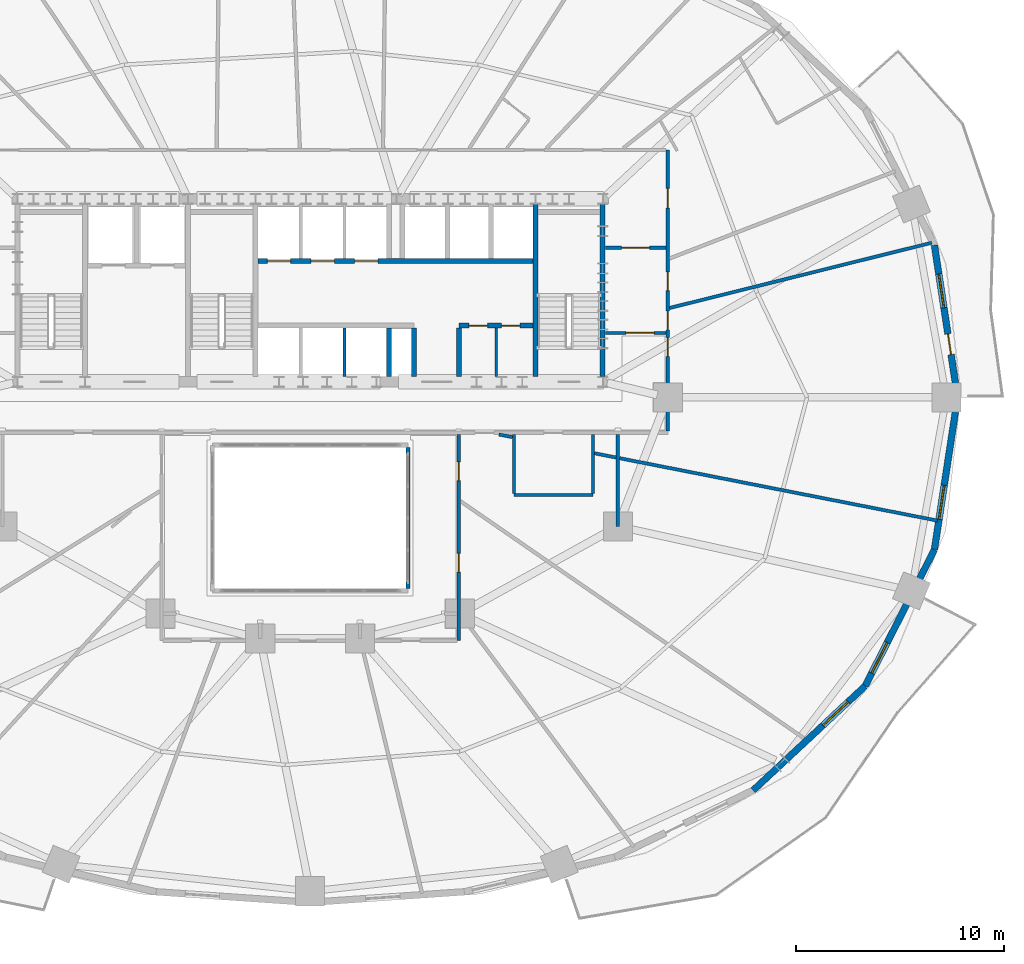
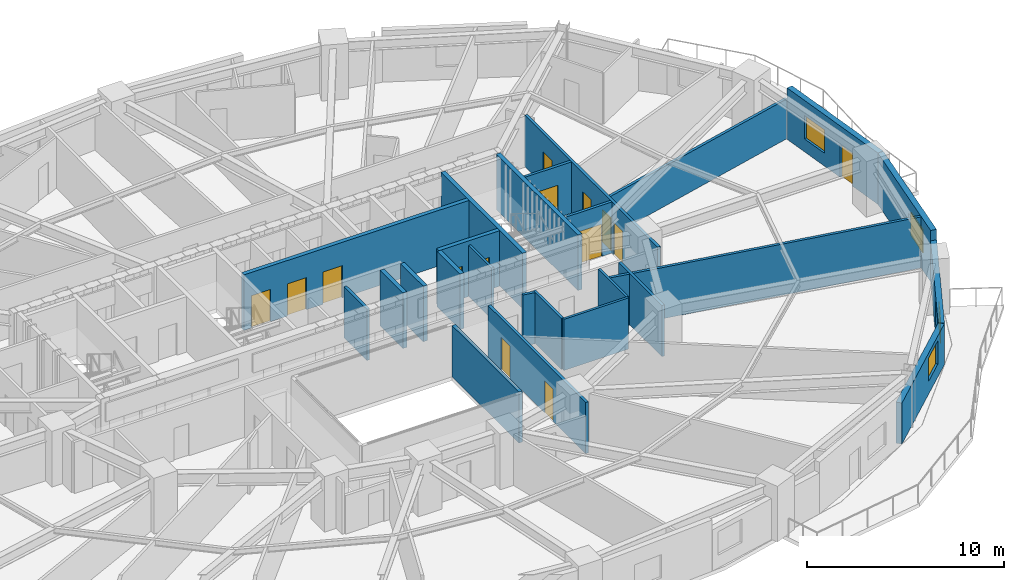
# One storey, part 10 of 16: 26 walls, 14 doors, 4 windows, 18 openings.
"""IFC4 building model written with IfcOpenShell, lengths in metres."""

from ifc_helpers import new_model, si_unit, direction, frame, frame_2d, origin, place, context, subcontext, project, spatial, rectangle, extrude, material, layer, layer_set, type_object, element, fill, save


model = new_model("IFC4")

# Units and contexts
model_context = context("Model", 3, precision=1e-05, world=origin(), true_north=direction((0.0, 1.0)))
body_context = subcontext(model_context, "Body", "Model", "MODEL_VIEW")
ifc_project = project(units=[si_unit("LENGTHUNIT", "METRE"), si_unit("AREAUNIT", "SQUARE_METRE"), si_unit("VOLUMEUNIT", "CUBIC_METRE"), si_unit("PLANEANGLEUNIT", "RADIAN"), si_unit("MASSUNIT", "GRAM", prefix="KILO")], contexts=[model_context])

# Site, building, storey
site_placement = place(None, origin())
site = spatial("IfcSite", under=ifc_project, at=site_placement, CompositionType="ELEMENT")
building_placement = place(site_placement, origin())
building = spatial("IfcBuilding", under=site, at=building_placement, Name="Haldorwick Loom Tower", CompositionType="ELEMENT")
storey_placement = place(building_placement, frame((0.0, 0.0, 68.85009765625)))
storey = spatial("IfcBuildingStorey", under=building, at=storey_placement, Name="L18", CompositionType="ELEMENT", Elevation=68.85009765625)

# Wall, openings, door, window
ifc_material_1 = material(Name="Pressed Clay Face Brick and Insulated Masonry Backup Assembly", Category="masonry")
ifc_layer_1 = layer(ifc_material_1, 0.320068359375, Name="Pressed Clay Face Brick and Insulated Masonry Backup Assembly", Category="masonry")
ifc_layer_set_1 = layer_set([ifc_layer_1], Name="Pressed Clay Face Brick and Insulated Masonry Backup Assembly")
wall_type_1 = type_object("IfcWallType", Name="ARC-WL-EXT320", PredefinedType="STANDARD", material=ifc_layer_set_1)
wall_1_placement = place(storey_placement, frame((67.135986328125, 26.0, 0.0), z_axis=(0.0, 0.0, 1.0), x_axis=(-0.150476322528, 0.988613613278, 0.0)))
wall_1 = element("IfcWall", 1, at=wall_1_placement, inside=storey, type_object=wall_type_1, Name="L18 Brick Pier and Spandrel Wall 1", PredefinedType="STANDARD", context=body_context, shape_type="SweptSolid", body=[
    extrude(rectangle(XDim=7.40478515625, YDim=0.320068359375, at=frame_2d((3.702392578125, 0.0))), origin(), (0.0, 0.0, 1.0), 3.18994140625),
])
opening_1_placement = place(wall_1_placement, frame((2.087646484375, 0.0, 0.0)))
opening_1 = element("IfcOpeningElement", 2, at=opening_1_placement, cuts=wall_1, Name="Opening D-BL10", PredefinedType="OPENING", context=body_context, shape_type="SweptSolid", body=[
    extrude(rectangle(XDim=1.0, YDim=2.0400390625, at=frame_2d((0.5, 1.02001953125))), frame((0.0, 0.169921875, 0.0), z_axis=(0.0, -1.0, 0.0), x_axis=(1.0, 0.0, 0.0)), (0.0, 0.0, 1.0), 0.340087890625),
])
opening_2_placement = place(wall_1_placement, frame((4.3583984375, 0.0, 0.800048828125)))
opening_2 = element("IfcOpeningElement", 3, at=opening_2_placement, cuts=wall_1, Name="Opening W-01B", PredefinedType="OPENING", context=body_context, shape_type="SweptSolid", body=[
    extrude(rectangle(XDim=1.64990234375, YDim=1.449951171875, at=frame_2d((0.824951171875, 0.72509765625))), frame((0.0, 0.169921875, 0.0), z_axis=(0.0, -1.0, 0.0), x_axis=(1.0, 0.0, 0.0)), (0.0, 0.0, 1.0), 0.340087890625),
])
ifc_material_2 = material(Name="Thermally Broken Anodized Aluminium Curtain Wall Framing", Category="aluminium")
door_type_1 = type_object("IfcDoorType", Name="ARC-DR-BAL100", OperationType="NOTDEFINED", PredefinedType="DOOR", material=ifc_material_2)
door_1_placement = place(opening_1_placement, origin())
door_1 = element("IfcDoor", 4, at=door_1_placement, inside=storey, type_object=door_type_1, Name="L18 Outdoor Terrace Door SLB-L18-BAL_ENE", OperationType="SINGLE_SWING_RIGHT", OverallHeight=2.0400390625, OverallWidth=1.0, PredefinedType="DOOR", context=body_context, shape_type="SweptSolid", body=[
    extrude(rectangle(XDim=1.0, YDim=2.0400390625, at=frame_2d((0.5, 1.02001953125))), frame((0.0, 0.02490234375, 0.0), z_axis=(0.0, -1.0, 0.0), x_axis=(1.0, 0.0, 0.0)), (0.0, 0.0, 1.0), 0.050048828125),
])
fill(opening_1, door_1)
ifc_material_3 = material(Name="Triple-Glazed Low-E Argon Insulated Glazing Unit", Category="glass")
window_type = type_object("IfcWindowType", Name="ARC-WIN-W165", PartitioningType="SINGLE_PANEL", PredefinedType="WINDOW", material=ifc_material_3)
window_1_placement = place(opening_2_placement, origin())
window_1 = element("IfcWindow", 5, at=window_1_placement, inside=storey, type_object=window_type, Name="L18 Deep-Set Zone 7A Window 1", OverallHeight=1.449951171875, OverallWidth=1.64990234375, PartitioningType="SINGLE_PANEL", PredefinedType="WINDOW", context=body_context, shape_type="SweptSolid", body=[
    extrude(rectangle(XDim=1.64990234375, YDim=1.449951171875, at=frame_2d((0.824951171875, 0.72509765625))), frame((0.0, 0.030029296875, 0.0), z_axis=(0.0, -1.0, 0.0), x_axis=(1.0, 0.0, 0.0)), (0.0, 0.0, 1.0), 0.06005859375),
])
fill(opening_2, window_1)

# Wall, opening, window
wall_2_placement = place(storey_placement, frame((57.30419921875, 7.10400390625, 0.0), z_axis=(0.0, 0.0, 1.0), x_axis=(0.73176101237, 0.681561311091, 0.0)))
wall_2 = element("IfcWall", 6, at=wall_2_placement, inside=storey, type_object=wall_type_1, Name="L18 Brick Pier and Spandrel Wall 22", PredefinedType="STANDARD", context=body_context, shape_type="SweptSolid", body=[
    extrude(rectangle(XDim=7.3583984375, YDim=0.320068359375, at=frame_2d((3.67919921875, 0.0))), origin(), (0.0, 0.0, 1.0), 2.548828125),
])
opening_3_placement = place(wall_2_placement, frame((4.590087890625, 0.0, 0.800048828125)))
opening_3 = element("IfcOpeningElement", 7, at=opening_3_placement, cuts=wall_2, Name="Opening W-01B", PredefinedType="OPENING", context=body_context, shape_type="SweptSolid", body=[
    extrude(rectangle(XDim=1.64990234375, YDim=1.449951171875, at=frame_2d((0.824951171875, 0.72509765625))), frame((0.0, 0.169921875, 0.0), z_axis=(0.0, -1.0, 0.0), x_axis=(1.0, 0.0, 0.0)), (0.0, 0.0, 1.0), 0.340087890625),
])
window_2_placement = place(opening_3_placement, origin())
window_2 = element("IfcWindow", 8, at=window_2_placement, inside=storey, type_object=window_type, Name="L18 Deep-Set Zone 7A Window 22", OverallHeight=1.449951171875, OverallWidth=1.64990234375, PartitioningType="SINGLE_PANEL", PredefinedType="WINDOW", context=body_context, shape_type="SweptSolid", body=[
    extrude(rectangle(XDim=1.64990234375, YDim=1.449951171875, at=frame_2d((0.824951171875, 0.72509765625))), frame((0.0, 0.030029296875, 0.0), z_axis=(0.0, -1.0, 0.0), x_axis=(1.0, 0.0, 0.0)), (0.0, 0.0, 1.0), 0.06005859375),
])
fill(opening_3, window_2)

wall_3_placement = place(storey_placement, frame((62.688720703125, 12.119140625, 0.0), z_axis=(0.0, 0.0, 1.0), x_axis=(0.452950855928, 0.891535485617, 0.0)))
wall_3 = element("IfcWall", 9, at=wall_3_placement, inside=storey, type_object=wall_type_1, Name="L18 Brick Pier and Spandrel Wall 23", PredefinedType="STANDARD", context=body_context, shape_type="SweptSolid", body=[
    extrude(rectangle(XDim=7.3583984375, YDim=0.320068359375, at=frame_2d((3.67919921875, 0.0))), origin(), (0.0, 0.0, 1.0), 2.548828125),
])
opening_4_placement = place(wall_3_placement, frame((0.69921875, 0.0, 0.800048828125)))
opening_4 = element("IfcOpeningElement", 10, at=opening_4_placement, cuts=wall_3, Name="Opening W-01B", PredefinedType="OPENING", context=body_context, shape_type="SweptSolid", body=[
    extrude(rectangle(XDim=1.64990234375, YDim=1.449951171875, at=frame_2d((0.824951171875, 0.72509765625))), frame((0.0, 0.169921875, 0.0), z_axis=(0.0, -1.0, 0.0), x_axis=(1.0, 0.0, 0.0)), (0.0, 0.0, 1.0), 0.340087890625),
])
window_3_placement = place(opening_4_placement, origin())
window_3 = element("IfcWindow", 11, at=window_3_placement, inside=storey, type_object=window_type, Name="L18 Deep-Set Zone 7A Window 23", OverallHeight=1.449951171875, OverallWidth=1.64990234375, PartitioningType="SINGLE_PANEL", PredefinedType="WINDOW", context=body_context, shape_type="SweptSolid", body=[
    extrude(rectangle(XDim=1.64990234375, YDim=1.449951171875, at=frame_2d((0.824951171875, 0.72509765625))), frame((0.0, 0.030029296875, 0.0), z_axis=(0.0, -1.0, 0.0), x_axis=(1.0, 0.0, 0.0)), (0.0, 0.0, 1.0), 0.06005859375),
])
fill(opening_4, window_3)

wall_4_placement = place(storey_placement, frame((66.021728515625, 18.679443359375, 0.0), z_axis=(0.0, 0.0, 1.0), x_axis=(0.150476322528, 0.988613613278, 0.0)))
wall_4 = element("IfcWall", 12, at=wall_4_placement, inside=storey, type_object=wall_type_1, Name="L18 Brick Pier and Spandrel Wall 24", PredefinedType="STANDARD", context=body_context, shape_type="SweptSolid", body=[
    extrude(rectangle(XDim=7.40478515625, YDim=0.320068359375, at=frame_2d((3.702392578125, 0.0))), origin(), (0.0, 0.0, 1.0), 3.18994140625),
])
opening_5_placement = place(wall_4_placement, frame((1.474365234375, 0.0, 0.800048828125)))
opening_5 = element("IfcOpeningElement", 13, at=opening_5_placement, cuts=wall_4, Name="Opening W-01B", PredefinedType="OPENING", context=body_context, shape_type="SweptSolid", body=[
    extrude(rectangle(XDim=1.64990234375, YDim=1.449951171875, at=frame_2d((0.824951171875, 0.72509765625))), frame((0.0, 0.169921875, 0.0), z_axis=(0.0, -1.0, 0.0), x_axis=(1.0, 0.0, 0.0)), (0.0, 0.0, 1.0), 0.340087890625),
])
window_4_placement = place(opening_5_placement, origin())
window_4 = element("IfcWindow", 14, at=window_4_placement, inside=storey, type_object=window_type, Name="L18 Deep-Set Zone 7A Window 24", OverallHeight=1.449951171875, OverallWidth=1.64990234375, PartitioningType="SINGLE_PANEL", PredefinedType="WINDOW", context=body_context, shape_type="SweptSolid", body=[
    extrude(rectangle(XDim=1.64990234375, YDim=1.449951171875, at=frame_2d((0.824951171875, 0.72509765625))), frame((0.0, 0.030029296875, 0.0), z_axis=(0.0, -1.0, 0.0), x_axis=(1.0, 0.0, 0.0)), (0.0, 0.0, 1.0), 0.06005859375),
])
fill(opening_5, window_4)

# Wall, openings, doors
ifc_material_4 = material(Name="Fire-Rated Type X Gypsum Stud Assembly EI 60")
ifc_layer_2 = layer(ifc_material_4, 0.159912109375, Name="Fire-Rated Type X Gypsum Stud Assembly EI 60")
ifc_layer_set_2 = layer_set([ifc_layer_2], Name="Fire-Rated Type X Gypsum Stud Assembly EI 60")
wall_type_2 = type_object("IfcWallType", Name="ARC-WL-FIRE160", PredefinedType="PARTITIONING", material=ifc_layer_set_2)
wall_5_placement = place(storey_placement, frame((53.199951171875, 24.383056640625, 0.0), z_axis=(0.0, 0.0, 1.0), x_axis=(0.0, 1.0, 0.0)))
wall_5 = element("IfcWall", 15, at=wall_5_placement, inside=storey, type_object=wall_type_2, Name="L18 Residential Fire Partition L18-CR-E0", PredefinedType="PARTITIONING", context=body_context, shape_type="SweptSolid", body=[
    extrude(rectangle(XDim=13.516845703125, YDim=0.159912109375, at=frame_2d((6.75830078125, 0.0))), origin(), (0.0, 0.0, 1.0), 3.1748046875),
])
opening_6_placement = place(wall_5_placement, frame((3.59130859375, 0.0, 0.0)))
opening_6 = element("IfcOpeningElement", 16, at=opening_6_placement, cuts=wall_5, Name="Opening D-FD60A", PredefinedType="OPENING", context=body_context, shape_type="SweptSolid", body=[
    extrude(rectangle(XDim=0.89990234375, YDim=2.0, at=frame_2d((0.449951171875, 1.0))), frame((0.0, 0.08984375, 0.0), z_axis=(0.0, -1.0, 0.0), x_axis=(1.0, 0.0, 0.0)), (0.0, 0.0, 1.0), 0.179931640625),
])
opening_7_placement = place(wall_5_placement, frame((10.71533203125, 0.0, 0.0)))
opening_7 = element("IfcOpeningElement", 17, at=opening_7_placement, cuts=wall_5, Name="Opening D-FL95", PredefinedType="OPENING", context=body_context, shape_type="SweptSolid", body=[
    extrude(rectangle(XDim=0.949951171875, YDim=2.0400390625, at=frame_2d((0.47509765625, 1.02001953125))), frame((0.0, 0.08984375, 0.0), z_axis=(0.0, -1.0, 0.0), x_axis=(1.0, 0.0, 0.0)), (0.0, 0.0, 1.0), 0.179931640625),
])
opening_8_placement = place(wall_5_placement, frame((6.751708984375, 0.0, 0.0)))
opening_8 = element("IfcOpeningElement", 18, at=opening_8_placement, cuts=wall_5, Name="Opening D-FD60A", PredefinedType="OPENING", context=body_context, shape_type="SweptSolid", body=[
    extrude(rectangle(XDim=0.89990234375, YDim=2.0, at=frame_2d((0.449951171875, 1.0))), frame((0.0, 0.08984375, 0.0), z_axis=(0.0, -1.0, 0.0), x_axis=(1.0, 0.0, 0.0)), (0.0, 0.0, 1.0), 0.179931640625),
])
opening_9_placement = place(wall_5_placement, frame((4.8681640625, 0.0, 0.0)))
opening_9 = element("IfcOpeningElement", 19, at=opening_9_placement, cuts=wall_5, Name="Opening D-FD60A", PredefinedType="OPENING", context=body_context, shape_type="SweptSolid", body=[
    extrude(rectangle(XDim=0.89990234375, YDim=2.0, at=frame_2d((0.449951171875, 1.0))), frame((0.0, 0.08984375, 0.0), z_axis=(0.0, -1.0, 0.0), x_axis=(1.0, 0.0, 0.0)), (0.0, 0.0, 1.0), 0.179931640625),
])
ifc_material_5 = material(Name="Hollow Steel Fire Door Assembly", Category="steel")
door_type_2 = type_object("IfcDoorType", Name="ARC-DR-FD60-90", OperationType="NOTDEFINED", PredefinedType="DOOR", material=ifc_material_5)
door_2_placement = place(opening_6_placement, origin())
door_2 = element("IfcDoor", 20, at=door_2_placement, inside=storey, type_object=door_type_2, Name="L18 L18 Central Residential Corridor to Community Library Hall 9 Door", OperationType="SINGLE_SWING_RIGHT", OverallHeight=2.0, OverallWidth=0.89990234375, PredefinedType="DOOR", context=body_context, shape_type="SweptSolid", body=[
    extrude(rectangle(XDim=0.89990234375, YDim=2.0, at=frame_2d((0.449951171875, 1.0))), frame((0.0, 0.02490234375, 0.0), z_axis=(0.0, -1.0, 0.0), x_axis=(1.0, 0.0, 0.0)), (0.0, 0.0, 1.0), 0.050048828125),
])
fill(opening_6, door_2)
door_3_placement = place(opening_8_placement, origin())
door_3 = element("IfcDoor", 21, at=door_3_placement, inside=storey, type_object=door_type_2, Name="L18 L18 East Residential Corridor to Community Library Hall 20 Door", OperationType="SINGLE_SWING_RIGHT", OverallHeight=2.0, OverallWidth=0.89990234375, PredefinedType="DOOR", context=body_context, shape_type="SweptSolid", body=[
    extrude(rectangle(XDim=0.89990234375, YDim=2.0, at=frame_2d((0.449951171875, 1.0))), frame((0.0, 0.02490234375, 0.0), z_axis=(0.0, -1.0, 0.0), x_axis=(1.0, 0.0, 0.0)), (0.0, 0.0, 1.0), 0.050048828125),
])
fill(opening_8, door_3)
door_4_placement = place(opening_9_placement, origin())
door_4 = element("IfcDoor", 22, at=door_4_placement, inside=storey, type_object=door_type_2, Name="L18 L18 East Residential Corridor to Community Library Hall 9 Door", OperationType="SINGLE_SWING_RIGHT", OverallHeight=2.0, OverallWidth=0.89990234375, PredefinedType="DOOR", context=body_context, shape_type="SweptSolid", body=[
    extrude(rectangle(XDim=0.89990234375, YDim=2.0, at=frame_2d((0.449951171875, 1.0))), frame((0.0, 0.02490234375, 0.0), z_axis=(0.0, -1.0, 0.0), x_axis=(1.0, 0.0, 0.0)), (0.0, 0.0, 1.0), 0.050048828125),
])
fill(opening_9, door_4)
ifc_material_6 = material(Name="Solid Core Birch Architectural Door")
door_type_3 = type_object("IfcDoorType", Name="ARC-DR-FLAT95", OperationType="NOTDEFINED", PredefinedType="DOOR", material=ifc_material_6)
door_5_placement = place(opening_7_placement, origin())
door_5 = element("IfcDoor", 23, at=door_5_placement, inside=storey, type_object=door_type_3, Name="L18 L18 North Residential Corridor to Unit 18O Kitchen and Studio Living", OperationType="SINGLE_SWING_LEFT", OverallHeight=2.0400390625, OverallWidth=0.949951171875, PredefinedType="DOOR", context=body_context, shape_type="SweptSolid", body=[
    extrude(rectangle(XDim=0.949951171875, YDim=2.0400390625, at=frame_2d((0.47509765625, 1.02001953125))), frame((0.0, 0.02490234375, 0.0), z_axis=(0.0, -1.0, 0.0), x_axis=(1.0, 0.0, 0.0)), (0.0, 0.0, 1.0), 0.050048828125),
])
fill(opening_7, door_5)

# Wall, opening, door
wall_6_placement = place(storey_placement, frame((50.193115234375, 29.10009765625, 0.0), z_axis=(0.0, 0.0, 1.0), x_axis=(1.0, 0.0, 0.0)))
wall_6 = element("IfcWall", 24, at=wall_6_placement, inside=storey, type_object=wall_type_2, Name="L18 Residential Fire Partition L18-CR-ESJ", PredefinedType="PARTITIONING", context=body_context, shape_type="SweptSolid", body=[
    extrude(rectangle(XDim=2.923828125, YDim=0.159912109375, at=frame_2d((1.4619140625, 0.0))), origin(), (0.0, 0.0, 1.0), 3.1748046875),
])
opening_10_placement = place(wall_6_placement, frame((0.99560546875, 0.0, 0.0)))
opening_10 = element("IfcOpeningElement", 25, at=opening_10_placement, cuts=wall_6, Name="Opening D-CR15", PredefinedType="OPENING", context=body_context, shape_type="SweptSolid", body=[
    extrude(rectangle(XDim=1.35009765625, YDim=2.0, at=frame_2d((0.675048828125, 1.0))), frame((0.0, 0.08984375, 0.0), z_axis=(0.0, -1.0, 0.0), x_axis=(1.0, 0.0, 0.0)), (0.0, 0.0, 1.0), 0.179931640625),
])
ifc_material_7 = material(Name="Thermally Broken Anodized Aluminium and Tempered Glass", Category="aluminium")
door_type_4 = type_object("IfcDoorType", Name="ARC-DR-COR150", OperationType="NOTDEFINED", PredefinedType="DOOR", material=ifc_material_7)
door_6_placement = place(opening_10_placement, origin())
door_6 = element("IfcDoor", 26, at=door_6_placement, inside=storey, type_object=door_type_4, Name="L18 L18 East Residential Corridor to L18 Central Residential Corridor Do", OperationType="DOUBLE_DOOR_SINGLE_SWING", OverallHeight=2.0, OverallWidth=1.35009765625, PredefinedType="DOOR", context=body_context, shape_type="SweptSolid", body=[
    extrude(rectangle(XDim=1.35009765625, YDim=2.0, at=frame_2d((0.675048828125, 1.0))), frame((0.0, 0.02490234375, 0.0), z_axis=(0.0, -1.0, 0.0), x_axis=(1.0, 0.0, 0.0)), (0.0, 0.0, 1.0), 0.050048828125),
])
fill(opening_10, door_6)

wall_7_placement = place(storey_placement, frame((50.193115234375, 33.199951171875, 0.0), z_axis=(0.0, 0.0, 1.0), x_axis=(1.0, 0.0, 0.0)))
wall_7 = element("IfcWall", 27, at=wall_7_placement, inside=storey, type_object=wall_type_2, Name="L18 Residential Fire Partition L18-CR-ENJ", PredefinedType="PARTITIONING", context=body_context, shape_type="SweptSolid", body=[
    extrude(rectangle(XDim=2.923828125, YDim=0.159912109375, at=frame_2d((1.4619140625, 0.0))), origin(), (0.0, 0.0, 1.0), 3.1748046875),
])
opening_11_placement = place(wall_7_placement, frame((0.787109375, 0.0, 0.0)))
opening_11 = element("IfcOpeningElement", 28, at=opening_11_placement, cuts=wall_7, Name="Opening D-CR15", PredefinedType="OPENING", context=body_context, shape_type="SweptSolid", body=[
    extrude(rectangle(XDim=1.35009765625, YDim=2.0, at=frame_2d((0.675048828125, 1.0))), frame((0.0, 0.08984375, 0.0), z_axis=(0.0, -1.0, 0.0), x_axis=(1.0, 0.0, 0.0)), (0.0, 0.0, 1.0), 0.179931640625),
])
door_7_placement = place(opening_11_placement, origin())
door_7 = element("IfcDoor", 29, at=door_7_placement, inside=storey, type_object=door_type_4, Name="L18 L18 North Residential Corridor to L18 East Residential Corridor Door", OperationType="DOUBLE_DOOR_SINGLE_SWING", OverallHeight=2.0, OverallWidth=1.35009765625, PredefinedType="DOOR", context=body_context, shape_type="SweptSolid", body=[
    extrude(rectangle(XDim=1.35009765625, YDim=2.0, at=frame_2d((0.675048828125, 1.0))), frame((0.0, 0.02490234375, 0.0), z_axis=(0.0, -1.0, 0.0), x_axis=(1.0, 0.0, 0.0)), (0.0, 0.0, 1.0), 0.050048828125),
])
fill(opening_11, door_7)

# Wall, openings, doors
wall_8_placement = place(storey_placement, frame((43.14990234375, 14.300048828125, 0.0), z_axis=(0.0, 0.0, 1.0), x_axis=(0.0, 1.0, 0.0)))
wall_8 = element("IfcWall", 30, at=wall_8_placement, inside=storey, type_object=wall_type_2, Name="L18 Residential Fire Partition L18-CR-AE", PredefinedType="PARTITIONING", context=body_context, shape_type="SweptSolid", body=[
    extrude(rectangle(XDim=9.9169921875, YDim=0.159912109375, at=frame_2d((4.95849609375, 0.0))), origin(), (0.0, 0.0, 1.0), 3.1748046875),
])
opening_12_placement = place(wall_8_placement, frame((3.29638671875, 0.0, 0.0)))
opening_12 = element("IfcOpeningElement", 31, at=opening_12_placement, cuts=wall_8, Name="Opening D-FD60A", PredefinedType="OPENING", context=body_context, shape_type="SweptSolid", body=[
    extrude(rectangle(XDim=0.89990234375, YDim=2.0, at=frame_2d((0.449951171875, 1.0))), frame((0.0, 0.08984375, 0.0), z_axis=(0.0, -1.0, 0.0), x_axis=(1.0, 0.0, 0.0)), (0.0, 0.0, 1.0), 0.179931640625),
])
opening_13_placement = place(wall_8_placement, frame((7.7041015625, 0.0, 0.0)))
opening_13 = element("IfcOpeningElement", 32, at=opening_13_placement, cuts=wall_8, Name="Opening D-FD60A", PredefinedType="OPENING", context=body_context, shape_type="SweptSolid", body=[
    extrude(rectangle(XDim=0.89990234375, YDim=2.0, at=frame_2d((0.449951171875, 1.0))), frame((0.0, 0.08984375, 0.0), z_axis=(0.0, -1.0, 0.0), x_axis=(1.0, 0.0, 0.0)), (0.0, 0.0, 1.0), 0.179931640625),
])
door_8_placement = place(opening_12_placement, origin())
door_8 = element("IfcDoor", 33, at=door_8_placement, inside=storey, type_object=door_type_2, Name="L18 L18 South Atrium Corridor to Community Library Hall 14 Door", OperationType="SINGLE_SWING_RIGHT", OverallHeight=2.0, OverallWidth=0.89990234375, PredefinedType="DOOR", context=body_context, shape_type="SweptSolid", body=[
    extrude(rectangle(XDim=0.89990234375, YDim=2.0, at=frame_2d((0.449951171875, 1.0))), frame((0.0, 0.02490234375, 0.0), z_axis=(0.0, -1.0, 0.0), x_axis=(1.0, 0.0, 0.0)), (0.0, 0.0, 1.0), 0.050048828125),
])
fill(opening_12, door_8)
door_9_placement = place(opening_13_placement, origin())
door_9 = element("IfcDoor", 34, at=door_9_placement, inside=storey, type_object=door_type_2, Name="L18 L18 South Atrium Corridor to Community Library Hall 19 Door", OperationType="SINGLE_SWING_RIGHT", OverallHeight=2.0, OverallWidth=0.89990234375, PredefinedType="DOOR", context=body_context, shape_type="SweptSolid", body=[
    extrude(rectangle(XDim=0.89990234375, YDim=2.0, at=frame_2d((0.449951171875, 1.0))), frame((0.0, 0.02490234375, 0.0), z_axis=(0.0, -1.0, 0.0), x_axis=(1.0, 0.0, 0.0)), (0.0, 0.0, 1.0), 0.050048828125),
])
fill(opening_13, door_9)

# Walls
wall_9_placement = place(storey_placement, frame((50.800048828125, 24.217041015625, 0.0), z_axis=(0.0, 0.0, 1.0), x_axis=(0.0, -1.0, 0.0)))
element("IfcWall", 35, at=wall_9_placement, inside=storey, type_object=wall_type_2, Name="L18 Residential Fire Partition L18-ICA-01", PredefinedType="PARTITIONING", context=body_context, shape_type="SweptSolid", body=[
    extrude(rectangle(XDim=4.4169921875, YDim=0.159912109375, at=frame_2d((2.20849609375, 0.0))), origin(), (0.0, 0.0, 1.0), 3.1748046875),
])
wall_10_placement = place(storey_placement, frame((53.282958984375, 30.301025390625, 0.0), z_axis=(0.0, 0.0, 1.0), x_axis=(0.970401735921, 0.24149631658, 0.0)))
element("IfcWall", 36, at=wall_10_placement, inside=storey, type_object=wall_type_2, Name="L18 Suite Split Wall", PredefinedType="PARTITIONING", context=body_context, shape_type="SweptSolid", body=[
    extrude(rectangle(XDim=12.99072265625, YDim=0.159912109375, at=frame_2d((6.495361328125, 0.0))), origin(), (0.0, 0.0, 1.0), 2.469970703125),
])
wall_11_placement = place(storey_placement, frame((45.0791015625, 24.217041015625, 0.0), z_axis=(0.0, 0.0, 1.0), x_axis=(0.981201343027, -0.192986850437, 0.0)))
element("IfcWall", 37, at=wall_11_placement, inside=storey, type_object=wall_type_2, Name="L18 Suite Split Wall", PredefinedType="PARTITIONING", context=body_context, shape_type="SweptSolid", body=[
    extrude(rectangle(XDim=0.660400390625, YDim=0.159912109375, at=frame_2d((0.330078125, 0.0))), origin(), (0.0, 0.0, 1.0), 3.1748046875),
])
wall_12_placement = place(storey_placement, frame((49.673095703125, 23.31494140625, 0.0), z_axis=(0.0, 0.0, 1.0), x_axis=(0.981245720299, -0.192761086308, 0.0)))
element("IfcWall", 38, at=wall_12_placement, inside=storey, type_object=wall_type_2, Name="L18 Suite Split Wall", PredefinedType="PARTITIONING", context=body_context, shape_type="SweptSolid", body=[
    extrude(rectangle(XDim=1.06396484375, YDim=0.159912109375, at=frame_2d((0.531982421875, 0.0))), origin(), (0.0, 0.0, 1.0), 3.1748046875),
])
wall_13_placement = place(storey_placement, frame((50.883056640625, 23.0771484375, 0.0), z_axis=(0.0, 0.0, 1.0), x_axis=(0.981258294233, -0.192697067955, 0.0)))
element("IfcWall", 39, at=wall_13_placement, inside=storey, type_object=wall_type_2, Name="L18 Suite Split Wall", PredefinedType="PARTITIONING", context=body_context, shape_type="SweptSolid", body=[
    extrude(rectangle(XDim=15.577392578125, YDim=0.159912109375, at=frame_2d((7.78857421875, 0.0))), origin(), (0.0, 0.0, 1.0), 3.1748046875),
])
ifc_material_8 = material(Name="Fire-Rated Type X Gypsum Stud Assembly EI 120")
ifc_layer_3 = layer(ifc_material_8, 0.199951171875, Name="Fire-Rated Type X Gypsum Stud Assembly EI 120")
ifc_layer_set_3 = layer_set([ifc_layer_3], Name="Fire-Rated Type X Gypsum Stud Assembly EI 120")
wall_type_3 = type_object("IfcWallType", Name="ARC-WL-FIRE200", PredefinedType="PARTITIONING", material=ifc_layer_set_3)
wall_14_placement = place(storey_placement, frame((40.699951171875, 23.596923828125, 0.0), z_axis=(0.0, 0.0, 1.0), x_axis=(0.0, -1.0, 0.0)))
element("IfcWall", 40, at=wall_14_placement, inside=storey, type_object=wall_type_3, Name="L18 Atrium Fire Enclosure Wall E", PredefinedType="PARTITIONING", context=body_context, shape_type="SweptSolid", body=[
    extrude(rectangle(XDim=6.7939453125, YDim=0.199951171875, at=frame_2d((3.39697265625, 0.0))), origin(), (0.0, 0.0, 1.0), 3.1748046875),
])
ifc_layer_4 = layer(ifc_material_4, 0.139892578125, Name="Fire-Rated Type X Gypsum Stud Assembly EI 60")
ifc_layer_set_4 = layer_set([ifc_layer_4], Name="Fire-Rated Type X Gypsum Stud Assembly EI 60")
wall_type_4 = type_object("IfcWallType", Name="ARC-WL-PART140", PredefinedType="PARTITIONING", material=ifc_layer_set_4)
wall_15_placement = place(storey_placement, frame((44.949951171875, 27.0029296875, 0.0), z_axis=(0.0, 0.0, 1.0), x_axis=(0.0, 1.0, 0.0)))
element("IfcWall", 41, at=wall_15_placement, inside=storey, type_object=wall_type_4, Name="L18 Service Partition", PredefinedType="PARTITIONING", context=body_context, shape_type="SweptSolid", body=[
    extrude(rectangle(XDim=2.323974609375, YDim=0.139892578125, at=frame_2d((1.162109375, 0.0))), origin(), (0.0, 0.0, 1.0), 3.1748046875),
])
wall_16_placement = place(storey_placement, frame((45.800048828125, 21.300048828125, 0.0), z_axis=(0.0, 0.0, 1.0), x_axis=(1.0, 0.0, 0.0)))
element("IfcWall", 42, at=wall_16_placement, inside=storey, type_object=wall_type_4, Name="L18 Residential Fire Partition L18-CWC-S", PredefinedType="PARTITIONING", context=body_context, shape_type="SweptSolid", body=[
    extrude(rectangle(XDim=3.800048828125, YDim=0.139892578125, at=frame_2d((1.89990234375, 0.0))), origin(), (0.0, 0.0, 1.0), 3.1748046875),
])
for number, where, z_axis, x_axis, name in (
    (43, (45.800048828125, 21.373046875, 0.0), (0.0, 0.0, 1.0), (0.0, 1.0, 0.0), "L18 Residential Fire Partition L18-CWC-W"),
    (44, (49.60009765625, 21.373046875, 0.0), (0.0, 0.0, 1.0), (0.0, 1.0, 0.0), "L18 Residential Fire Partition L18-CWC-E"),
):
    element("IfcWall", number, at=place(storey_placement, frame(where, z_axis=z_axis, x_axis=x_axis)), inside=storey, type_object=wall_type_4, Name=name, PredefinedType="PARTITIONING", context=body_context, shape_type="SweptSolid", body=[
        extrude(rectangle(XDim=2.843994140625, YDim=0.139892578125, at=frame_2d((1.421875, 0.0))), origin(), (0.0, 0.0, 1.0), 3.1748046875),
    ])
ifc_layer_5 = layer(ifc_material_8, 0.1650390625, Name="Fire-Rated Type X Gypsum Stud Assembly EI 120")
ifc_layer_set_5 = layer_set([ifc_layer_5], Name="Fire-Rated Type X Gypsum Stud Assembly EI 120")
wall_type_5 = type_object("IfcWallType", Name="ARC-WL-SHAFT160", PredefinedType="MOVABLE", material=ifc_layer_set_5)
wall_17_placement = place(storey_placement, frame((37.64990234375, 27.0029296875, 0.0), z_axis=(0.0, 0.0, 1.0), x_axis=(0.0, 1.0, 0.0)))
element("IfcWall", 45, at=wall_17_placement, inside=storey, type_object=wall_type_5, Name="L18 Mid-Rise Hoistway Divider 2", PredefinedType="MOVABLE", context=body_context, shape_type="SweptSolid", body=[
    extrude(rectangle(XDim=2.323974609375, YDim=0.159912109375, at=frame_2d((1.162109375, 0.0))), origin(), (0.0, 0.0, 1.0), 3.1748046875),
])
ifc_material_9 = material(Name="Concrete C50 (50 MPa)", Category="concrete")
ifc_layer_6 = layer(ifc_material_9, 0.239990234375, Name="Concrete C50 (50 MPa)", Category="concrete")
ifc_layer_set_6 = layer_set([ifc_layer_6], Name="Concrete C50 (50 MPa)")
wall_type_6 = type_object("IfcWallType", Name="STR-WL-SHAFT240", PredefinedType="SHEAR", material=ifc_layer_set_6)
for number, where, z_axis, x_axis, name in (
    (46, (50.070068359375, 27.0029296875, 0.0), (0.0, 0.0, 1.0), (0.0, 1.0, 0.0), "L18 Core Shear Wall E"),
    (47, (46.830078125, 27.0029296875, 0.0), (0.0, 0.0, 1.0), (0.0, 1.0, 0.0), "L18 Core Shear Wall 4"),
):
    element("IfcWall", number, at=place(storey_placement, frame(where, z_axis=z_axis, x_axis=x_axis)), inside=storey, type_object=wall_type_6, Name=name, PredefinedType="SHEAR", context=body_context, shape_type="SweptSolid", body=[
        extrude(rectangle(XDim=8.294189453125, YDim=0.239990234375, at=frame_2d((4.14697265625, 0.0))), origin(), (0.0, 0.0, 1.0), 3.449951171875),
    ])

# Wall, openings, doors
wall_18_placement = place(storey_placement, frame((33.492919921875, 32.550048828125, 0.0), z_axis=(0.0, 0.0, 1.0), x_axis=(1.0, 0.0, 0.0)))
wall_18 = element("IfcWall", 48, at=wall_18_placement, inside=storey, type_object=wall_type_6, Name="L18 Core Shear Wall LN", PredefinedType="SHEAR", context=body_context, shape_type="SweptSolid", body=[
    extrude(rectangle(XDim=13.214111328125, YDim=0.239990234375, at=frame_2d((6.60693359375, 0.0))), origin(), (0.0, 0.0, 1.0), 3.449951171875),
])
opening_14_placement = place(wall_18_placement, frame((0.447021484375, 0.0, 0.0)))
opening_14 = element("IfcOpeningElement", 49, at=opening_14_placement, cuts=wall_18, Name="Opening LD-L1", PredefinedType="OPENING", context=body_context, shape_type="SweptSolid", body=[
    extrude(rectangle(XDim=1.1201171875, YDim=2.0, at=frame_2d((0.56005859375, 1.0))), frame((0.0, 0.1298828125, 0.0), z_axis=(0.0, -1.0, 0.0), x_axis=(1.0, 0.0, 0.0)), (0.0, 0.0, 1.0), 0.260009765625),
])
opening_15_placement = place(wall_18_placement, frame((2.547119140625, 0.0, 0.0)))
opening_15 = element("IfcOpeningElement", 50, at=opening_15_placement, cuts=wall_18, Name="Opening LD-L2", PredefinedType="OPENING", context=body_context, shape_type="SweptSolid", body=[
    extrude(rectangle(XDim=1.1201171875, YDim=2.0, at=frame_2d((0.56005859375, 1.0))), frame((0.0, 0.1298828125, 0.0), z_axis=(0.0, -1.0, 0.0), x_axis=(1.0, 0.0, 0.0)), (0.0, 0.0, 1.0), 0.260009765625),
])
opening_16_placement = place(wall_18_placement, frame((4.64697265625, 0.0, 0.0)))
opening_16 = element("IfcOpeningElement", 51, at=opening_16_placement, cuts=wall_18, Name="Opening LD-L3", PredefinedType="OPENING", context=body_context, shape_type="SweptSolid", body=[
    extrude(rectangle(XDim=1.1201171875, YDim=2.0, at=frame_2d((0.56005859375, 1.0))), frame((0.0, 0.1298828125, 0.0), z_axis=(0.0, -1.0, 0.0), x_axis=(1.0, 0.0, 0.0)), (0.0, 0.0, 1.0), 0.260009765625),
])
door_type_5 = type_object("IfcDoorType", Name="ARC-DR-LD-PAX", OperationType="NOTDEFINED", PredefinedType="USERDEFINED", material=ifc_material_5)
door_10_placement = place(opening_14_placement, origin())
door_10 = element("IfcDoor", 52, at=door_10_placement, inside=storey, type_object=door_type_5, Name="L18 Lift LF-L1 Sliding Landing Door", ObjectType="LANDING DOOR", OperationType="DOUBLE_DOOR_SLIDING", OverallHeight=2.0, OverallWidth=1.1201171875, PredefinedType="USERDEFINED", context=body_context, shape_type="SweptSolid", body=[
    extrude(rectangle(XDim=1.1201171875, YDim=2.0, at=frame_2d((0.56005859375, 1.0))), frame((0.0, 0.02490234375, 0.0), z_axis=(0.0, -1.0, 0.0), x_axis=(1.0, 0.0, 0.0)), (0.0, 0.0, 1.0), 0.050048828125),
])
fill(opening_14, door_10)
door_11_placement = place(opening_15_placement, origin())
door_11 = element("IfcDoor", 53, at=door_11_placement, inside=storey, type_object=door_type_5, Name="L18 Lift LF-L2 Sliding Landing Door", ObjectType="LANDING DOOR", OperationType="DOUBLE_DOOR_SLIDING", OverallHeight=2.0, OverallWidth=1.1201171875, PredefinedType="USERDEFINED", context=body_context, shape_type="SweptSolid", body=[
    extrude(rectangle(XDim=1.1201171875, YDim=2.0, at=frame_2d((0.56005859375, 1.0))), frame((0.0, 0.02490234375, 0.0), z_axis=(0.0, -1.0, 0.0), x_axis=(1.0, 0.0, 0.0)), (0.0, 0.0, 1.0), 0.050048828125),
])
fill(opening_15, door_11)
door_12_placement = place(opening_16_placement, origin())
door_12 = element("IfcDoor", 54, at=door_12_placement, inside=storey, type_object=door_type_5, Name="L18 Lift LF-L3 Sliding Landing Door", ObjectType="LANDING DOOR", OperationType="DOUBLE_DOOR_SLIDING", OverallHeight=2.0, OverallWidth=1.1201171875, PredefinedType="USERDEFINED", context=body_context, shape_type="SweptSolid", body=[
    extrude(rectangle(XDim=1.1201171875, YDim=2.0, at=frame_2d((0.56005859375, 1.0))), frame((0.0, 0.02490234375, 0.0), z_axis=(0.0, -1.0, 0.0), x_axis=(1.0, 0.0, 0.0)), (0.0, 0.0, 1.0), 0.050048828125),
])
fill(opening_16, door_12)

wall_19_placement = place(storey_placement, frame((43.14990234375, 29.449951171875, 0.0), z_axis=(0.0, 0.0, 1.0), x_axis=(1.0, 0.0, 0.0)))
wall_19 = element("IfcWall", 55, at=wall_19_placement, inside=storey, type_object=wall_type_6, Name="L18 Core Shear Wall LS2", PredefinedType="SHEAR", context=body_context, shape_type="SweptSolid", body=[
    extrude(rectangle(XDim=3.55712890625, YDim=0.239990234375, at=frame_2d((1.778564453125, 0.0))), origin(), (0.0, 0.0, 1.0), 3.449951171875),
])
opening_17_placement = place(wall_19_placement, frame((0.47998046875, 0.0, 0.0)))
opening_17 = element("IfcOpeningElement", 56, at=opening_17_placement, cuts=wall_19, Name="Opening D-FD60A", PredefinedType="OPENING", context=body_context, shape_type="SweptSolid", body=[
    extrude(rectangle(XDim=0.89990234375, YDim=2.0, at=frame_2d((0.449951171875, 1.0))), frame((0.0, 0.1298828125, 0.0), z_axis=(0.0, -1.0, 0.0), x_axis=(1.0, 0.0, 0.0)), (0.0, 0.0, 1.0), 0.260009765625),
])
opening_18_placement = place(wall_19_placement, frame((2.050048828125, 0.0, 0.0)))
opening_18 = element("IfcOpeningElement", 57, at=opening_18_placement, cuts=wall_19, Name="Opening D-FD60A", PredefinedType="OPENING", context=body_context, shape_type="SweptSolid", body=[
    extrude(rectangle(XDim=0.89990234375, YDim=2.0, at=frame_2d((0.449951171875, 1.0))), frame((0.0, 0.1298828125, 0.0), z_axis=(0.0, -1.0, 0.0), x_axis=(1.0, 0.0, 0.0)), (0.0, 0.0, 1.0), 0.260009765625),
])
door_13_placement = place(opening_17_placement, origin())
door_13 = element("IfcDoor", 58, at=door_13_placement, inside=storey, type_object=door_type_2, Name="L18 Electrical Room Door", OperationType="SINGLE_SWING_LEFT", OverallHeight=2.0, OverallWidth=0.89990234375, PredefinedType="DOOR", context=body_context, shape_type="SweptSolid", body=[
    extrude(rectangle(XDim=0.89990234375, YDim=2.0, at=frame_2d((0.449951171875, 1.0))), frame((0.0, 0.02490234375, 0.0), z_axis=(0.0, -1.0, 0.0), x_axis=(1.0, 0.0, 0.0)), (0.0, 0.0, 1.0), 0.050048828125),
])
fill(opening_17, door_13)
door_14_placement = place(opening_18_placement, origin())
door_14 = element("IfcDoor", 59, at=door_14_placement, inside=storey, type_object=door_type_2, Name="L18 Cleaner's Store Door", OperationType="SINGLE_SWING_LEFT", OverallHeight=2.0, OverallWidth=0.89990234375, PredefinedType="DOOR", context=body_context, shape_type="SweptSolid", body=[
    extrude(rectangle(XDim=0.89990234375, YDim=2.0, at=frame_2d((0.449951171875, 1.0))), frame((0.0, 0.02490234375, 0.0), z_axis=(0.0, -1.0, 0.0), x_axis=(1.0, 0.0, 0.0)), (0.0, 0.0, 1.0), 0.050048828125),
])
fill(opening_18, door_14)

# Walls
for number, where, z_axis, x_axis, name in (
    (60, (41.0, 27.0029296875, 0.0), (0.0, 0.0, 1.0), (0.0, 1.0, 0.0), "L18 Core Shear Wall THW"),
    (61, (43.14990234375, 27.0029296875, 0.0), (0.0, 0.0, 1.0), (0.0, 1.0, 0.0), "L18 Core Shear Wall THE"),
    (62, (39.800048828125, 27.0029296875, 0.0), (0.0, 0.0, 1.0), (0.0, 1.0, 0.0), "L18 Core Shear Wall MRW"),
):
    element("IfcWall", number, at=place(storey_placement, frame(where, z_axis=z_axis, x_axis=x_axis)), inside=storey, type_object=wall_type_6, Name=name, PredefinedType="SHEAR", context=body_context, shape_type="SweptSolid", body=[
        extrude(rectangle(XDim=2.323974609375, YDim=0.239990234375, at=frame_2d((1.162109375, 0.0))), origin(), (0.0, 0.0, 1.0), 3.449951171875),
    ])

save(model, "model.ifc")
